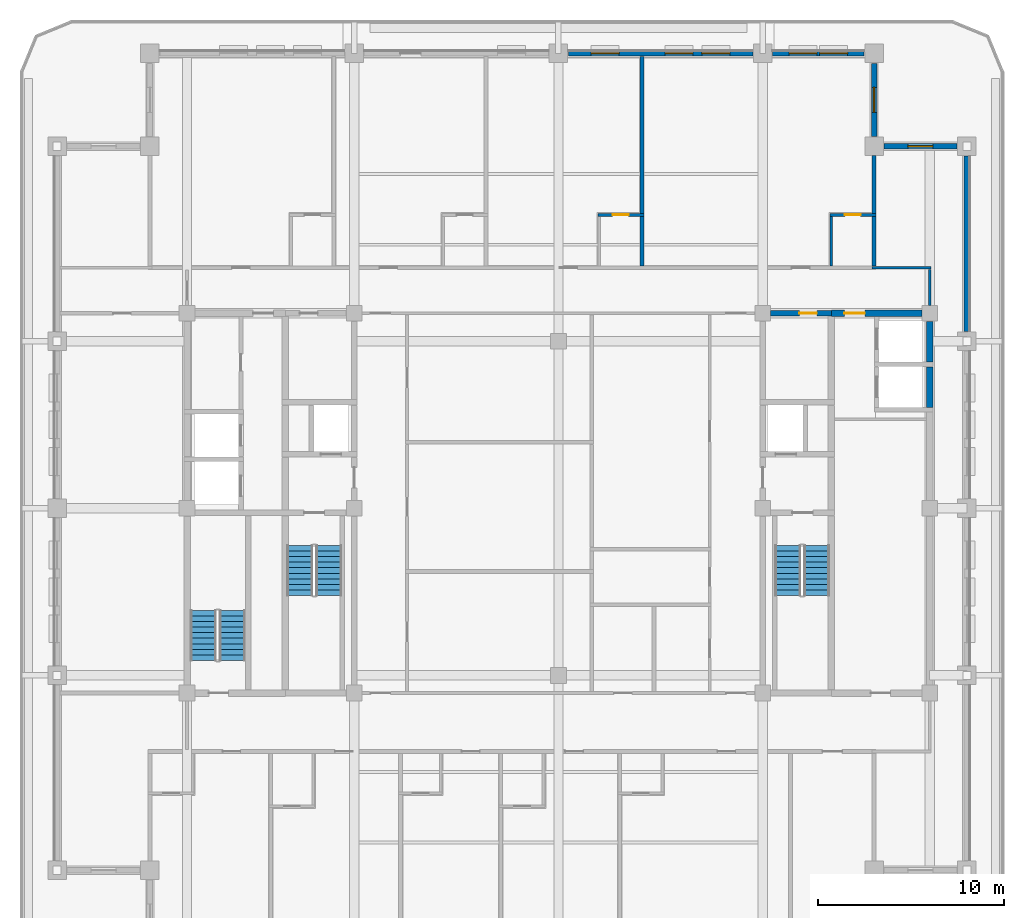
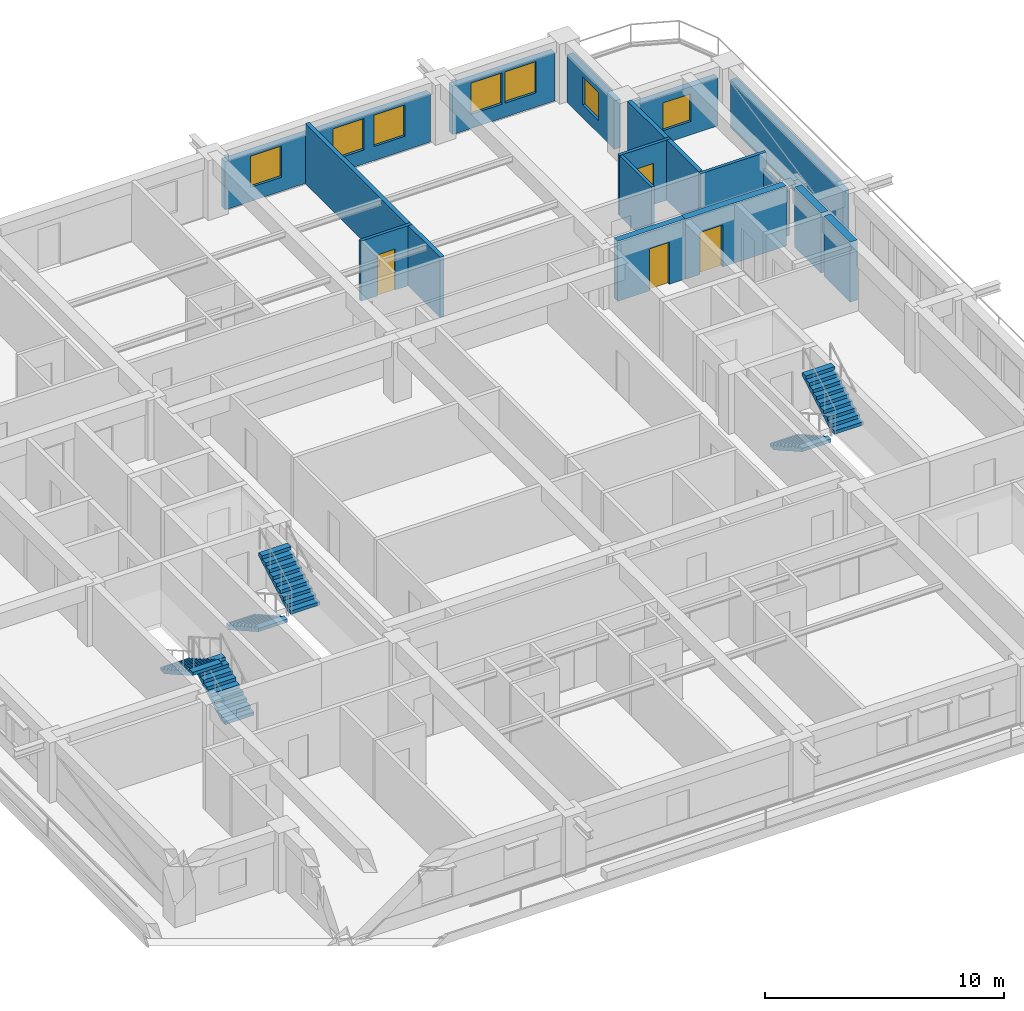
# One storey, part 7 of 14: 18 walls, 7 windows, 6 stair flights, 4 doors, 11 openings, 3 elements without a shape of their own.
"""IFC4 building model written with IfcOpenShell, lengths in metres."""

from ifc_helpers import new_model, si_unit, direction, frame, frame_2d, origin, place, context, subcontext, project, spatial, polyline, rectangle, outline, extrude, material, layer, layer_set, type_object, element, fill, aggregate, save


model = new_model("IFC4")

# Units and contexts
model_context = context("Model", 3, precision=1e-05, world=origin(), true_north=direction((0.0, 1.0)))
body_context = subcontext(model_context, "Body", "Model", "MODEL_VIEW")
ifc_project = project(units=[si_unit("LENGTHUNIT", "METRE"), si_unit("AREAUNIT", "SQUARE_METRE"), si_unit("VOLUMEUNIT", "CUBIC_METRE"), si_unit("PLANEANGLEUNIT", "RADIAN"), si_unit("MASSUNIT", "GRAM", prefix="KILO")], contexts=[model_context])

# Site, building, storey
site_placement = place(None, origin())
site = spatial("IfcSite", under=ifc_project, at=site_placement, CompositionType="ELEMENT")
building_placement = place(site_placement, origin())
building = spatial("IfcBuilding", under=site, at=building_placement, Name="Zulmaris Gate Convention Tower", CompositionType="ELEMENT")
storey_placement = place(building_placement, frame((0.0, 0.0, 208.4599609375)))
storey = spatial("IfcBuildingStorey", under=building, at=storey_placement, Name="L54", CompositionType="ELEMENT", Elevation=208.4599609375)

# Wall, opening, door
ifc_material_1 = material(Name="Concrete C50/60", Category="concrete")
ifc_layer_1 = layer(ifc_material_1, 0.300048828125, Name="Concrete C50/60")
ifc_layer_set_1 = layer_set([ifc_layer_1], Name="Concrete C50/60")
wall_type_1 = type_object("IfcWallType", Name="CORE-300", PredefinedType="SHEAR", material=ifc_layer_set_1)
wall_1_placement = place(storey_placement, frame((11.428955078125, 10.5, 0.0), z_axis=(0.0, 0.0, 1.0), x_axis=(1.0, 0.0, 0.0)))
wall_1 = element("IfcWall", 1, at=wall_1_placement, inside=storey, type_object=wall_type_1, Name="WL-L54-017", PredefinedType="SHEAR", context=body_context, shape_type="SweptSolid", body=[
    extrude(rectangle(XDim=3.27099609375, YDim=0.300048828125, at=frame_2d((1.635498046875, 0.0))), origin(), (0.0, 0.0, 1.0), 3.074951171875),
])
opening_1_placement = place(wall_1_placement, frame((1.5458984375, 0.0, 0.0)))
opening_1 = element("IfcOpeningElement", 2, at=opening_1_placement, cuts=wall_1, Name="Opening D-11", PredefinedType="OPENING", context=body_context, shape_type="SweptSolid", body=[
    extrude(rectangle(XDim=0.949951171875, YDim=2.14990234375, at=frame_2d((0.47509765625, 1.074951171875))), frame((0.0, 0.16015625, 0.0), z_axis=(0.0, -1.0, 0.0), x_axis=(1.0, 0.0, 0.0)), (0.0, 0.0, 1.0), 0.320068359375),
])
ifc_material_2 = material(Name="Fire-Rated Timber", Category="wood")
door_type_1 = type_object("IfcDoorType", Name="DR-950-FD", OperationType="NOTDEFINED", PredefinedType="DOOR", material=ifc_material_2)
door_1_placement = place(opening_1_placement, origin())
door_1 = element("IfcDoor", 3, at=door_1_placement, inside=storey, type_object=door_type_1, Name="L54 Core Cleaners Store Door 08", OperationType="SINGLE_SWING_LEFT", OverallHeight=2.14990234375, OverallWidth=0.949951171875, PredefinedType="DOOR", context=body_context, shape_type="SweptSolid", body=[
    extrude(rectangle(XDim=0.949951171875, YDim=2.14990234375, at=frame_2d((0.47509765625, 1.074951171875))), frame((0.0, 0.02490234375, 0.0), z_axis=(0.0, -1.0, 0.0), x_axis=(1.0, 0.0, 0.0)), (0.0, 0.0, 1.0), 0.050048828125),
])
fill(opening_1, door_1)

ifc_material_3 = material(Name="Concrete C55/67", Category="concrete")
ifc_layer_2 = layer(ifc_material_3, 0.35009765625, Name="Concrete C55/67")
ifc_layer_set_2 = layer_set([ifc_layer_2], Name="Concrete C55/67")
wall_type_2 = type_object("IfcWallType", Name="CORE-350", PredefinedType="SHEAR", material=ifc_layer_set_2)
wall_2_placement = place(storey_placement, frame((14.699951171875, 10.5, 0.0), z_axis=(0.0, 0.0, 1.0), x_axis=(1.0, 0.0, 0.0)))
wall_2 = element("IfcWall", 4, at=wall_2_placement, inside=storey, type_object=wall_type_2, Name="WL-L54-018", PredefinedType="SHEAR", context=body_context, shape_type="SweptSolid", body=[
    extrude(rectangle(XDim=4.87109375, YDim=0.35009765625, at=frame_2d((2.435546875, 0.0))), origin(), (0.0, 0.0, 1.0), 3.074951171875),
])
opening_2_placement = place(wall_2_placement, frame((0.699951171875, 0.0, 0.0)))
opening_2 = element("IfcOpeningElement", 5, at=opening_2_placement, cuts=wall_2, Name="Opening D-08", PredefinedType="OPENING", context=body_context, shape_type="SweptSolid", body=[
    extrude(rectangle(XDim=1.10009765625, YDim=2.14990234375, at=frame_2d((0.550048828125, 1.074951171875))), frame((0.0, 0.18505859375, 0.0), z_axis=(0.0, -1.0, 0.0), x_axis=(1.0, 0.0, 0.0)), (0.0, 0.0, 1.0), 0.3701171875),
])
ifc_material_4 = material(Name="Fire-Rated Steel", Category="steel")
door_type_2 = type_object("IfcDoorType", Name="DR-1100-FD", OperationType="NOTDEFINED", PredefinedType="DOOR", material=ifc_material_4)
door_2_placement = place(opening_2_placement, origin())
door_2 = element("IfcDoor", 6, at=door_2_placement, inside=storey, type_object=door_type_2, Name="L54 High-Rise East Lift Lobby Door 16", OperationType="SINGLE_SWING_LEFT", OverallHeight=2.14990234375, OverallWidth=1.10009765625, PredefinedType="DOOR", context=body_context, shape_type="SweptSolid", body=[
    extrude(rectangle(XDim=1.10009765625, YDim=2.14990234375, at=frame_2d((0.550048828125, 1.074951171875))), frame((0.0, 0.02490234375, 0.0), z_axis=(0.0, -1.0, 0.0), x_axis=(1.0, 0.0, 0.0)), (0.0, 0.0, 1.0), 0.050048828125),
])
fill(opening_2, door_2)

# Walls
wall_3_placement = place(storey_placement, frame((20.0, 5.427001953125, 0.0), z_axis=(0.0, 0.0, 1.0), x_axis=(0.0, 1.0, 0.0)))
element("IfcWall", 7, at=wall_3_placement, inside=storey, type_object=wall_type_2, Name="WL-L54-072", PredefinedType="SHEAR", context=body_context, shape_type="SweptSolid", body=[
    extrude(rectangle(XDim=2.196044921875, YDim=0.35009765625, at=frame_2d((1.09814453125, 0.0))), origin(), (0.0, 0.0, 1.0), 3.074951171875),
])
wall_4_placement = place(storey_placement, frame((20.0, 7.876953125, 0.0), z_axis=(0.0, 0.0, 1.0), x_axis=(0.0, 1.0, 0.0)))
element("IfcWall", 8, at=wall_4_placement, inside=storey, type_object=wall_type_2, Name="WL-L54-073", PredefinedType="SHEAR", context=body_context, shape_type="SweptSolid", body=[
    extrude(rectangle(XDim=2.194091796875, YDim=0.35009765625, at=frame_2d((1.09716796875, 0.0))), origin(), (0.0, 0.0, 1.0), 3.074951171875),
])
ifc_material_5 = material(Name="Gypsum Metal Stud Partition")
ifc_layer_3 = layer(ifc_material_5, 0.14990234375, Name="Gypsum Metal Stud Partition")
ifc_layer_set_3 = layer_set([ifc_layer_3], Name="Gypsum Metal Stud Partition")
wall_type_3 = type_object("IfcWallType", Name="PART-150", PredefinedType="PARTITIONING", material=ifc_layer_set_3)
wall_5_placement = place(storey_placement, frame((16.89990234375, 12.949951171875, 0.0), z_axis=(0.0, 0.0, 1.0), x_axis=(1.0, 0.0, 0.0)))
element("IfcWall", 9, at=wall_5_placement, inside=storey, type_object=wall_type_3, Name="WL-L54-037", PredefinedType="PARTITIONING", context=body_context, shape_type="SweptSolid", body=[
    extrude(rectangle(XDim=3.175048828125, YDim=0.14990234375, at=frame_2d((1.58740234375, 0.0))), origin(), (0.0, 0.0, 1.0), 3.074951171875),
])

# Wall, opening, door
wall_6_placement = place(storey_placement, frame((2.125, 15.800048828125, 0.0), z_axis=(0.0, 0.0, 1.0), x_axis=(1.0, 0.0, 0.0)))
wall_6 = element("IfcWall", 10, at=wall_6_placement, inside=storey, type_object=wall_type_3, Name="WL-L54-040", PredefinedType="PARTITIONING", context=body_context, shape_type="SweptSolid", body=[
    extrude(rectangle(XDim=2.47509765625, YDim=0.14990234375, at=frame_2d((1.237548828125, 0.0))), origin(), (0.0, 0.0, 1.0), 3.074951171875),
])
opening_3_placement = place(wall_6_placement, frame((0.800048828125, 0.0, 0.0)))
opening_3 = element("IfcOpeningElement", 11, at=opening_3_placement, cuts=wall_6, Name="Opening D-17", PredefinedType="OPENING", context=body_context, shape_type="SweptSolid", body=[
    extrude(rectangle(XDim=0.85009765625, YDim=2.10009765625, at=frame_2d((0.425048828125, 1.050048828125))), frame((0.0, 0.0849609375, 0.0), z_axis=(0.0, -1.0, 0.0), x_axis=(1.0, 0.0, 0.0)), (0.0, 0.0, 1.0), 0.169921875),
])
ifc_material_6 = material(Name="Moisture-Resistant Hardwood Timber", Category="wood")
door_type_3 = type_object("IfcDoorType", Name="DR-850", OperationType="NOTDEFINED", PredefinedType="DOOR", material=ifc_material_6)
door_3_placement = place(opening_3_placement, origin())
door_3 = element("IfcDoor", 12, at=door_3_placement, inside=storey, type_object=door_type_3, Name="L54 En-Suite Door 27", OperationType="SINGLE_SWING_RIGHT", OverallHeight=2.10009765625, OverallWidth=0.85009765625, PredefinedType="DOOR", context=body_context, shape_type="SweptSolid", body=[
    extrude(rectangle(XDim=0.85009765625, YDim=2.10009765625, at=frame_2d((0.425048828125, 1.050048828125))), frame((0.0, 0.02490234375, 0.0), z_axis=(0.0, -1.0, 0.0), x_axis=(1.0, 0.0, 0.0)), (0.0, 0.0, 1.0), 0.050048828125),
])
fill(opening_3, door_3)

wall_7_placement = place(storey_placement, frame((14.625, 15.800048828125, 0.0), z_axis=(0.0, 0.0, 1.0), x_axis=(1.0, 0.0, 0.0)))
wall_7 = element("IfcWall", 13, at=wall_7_placement, inside=storey, type_object=wall_type_3, Name="WL-L54-041", PredefinedType="PARTITIONING", context=body_context, shape_type="SweptSolid", body=[
    extrude(rectangle(XDim=2.47509765625, YDim=0.14990234375, at=frame_2d((1.237548828125, 0.0))), origin(), (0.0, 0.0, 1.0), 3.074951171875),
])
opening_4_placement = place(wall_7_placement, frame((0.800048828125, 0.0, 0.0)))
opening_4 = element("IfcOpeningElement", 14, at=opening_4_placement, cuts=wall_7, Name="Opening D-17", PredefinedType="OPENING", context=body_context, shape_type="SweptSolid", body=[
    extrude(rectangle(XDim=0.85009765625, YDim=2.10009765625, at=frame_2d((0.425048828125, 1.050048828125))), frame((0.0, 0.0849609375, 0.0), z_axis=(0.0, -1.0, 0.0), x_axis=(1.0, 0.0, 0.0)), (0.0, 0.0, 1.0), 0.169921875),
])
door_4_placement = place(opening_4_placement, origin())
door_4 = element("IfcDoor", 15, at=door_4_placement, inside=storey, type_object=door_type_3, Name="L54 En-Suite Door 29", OperationType="SINGLE_SWING_RIGHT", OverallHeight=2.10009765625, OverallWidth=0.85009765625, PredefinedType="DOOR", context=body_context, shape_type="SweptSolid", body=[
    extrude(rectangle(XDim=0.85009765625, YDim=2.10009765625, at=frame_2d((0.425048828125, 1.050048828125))), frame((0.0, 0.02490234375, 0.0), z_axis=(0.0, -1.0, 0.0), x_axis=(1.0, 0.0, 0.0)), (0.0, 0.0, 1.0), 0.050048828125),
])
fill(opening_4, door_4)

# Walls
wall_8_placement = place(storey_placement, frame((14.699951171875, 13.052978515625, 0.0), z_axis=(0.0, 0.0, 1.0), x_axis=(0.0, 1.0, 0.0)))
element("IfcWall", 16, at=wall_8_placement, inside=storey, type_object=wall_type_3, Name="WL-L54-115", PredefinedType="PARTITIONING", context=body_context, shape_type="SweptSolid", body=[
    extrude(rectangle(XDim=2.6689453125, YDim=0.14990234375, at=frame_2d((1.33447265625, 0.0))), origin(), (0.0, 0.0, 1.0), 3.074951171875),
])
wall_9_placement = place(storey_placement, frame((20.0, 10.930908203125, 0.0), z_axis=(0.0, 0.0, 1.0), x_axis=(0.0, 1.0, 0.0)))
element("IfcWall", 17, at=wall_9_placement, inside=storey, type_object=wall_type_3, Name="WL-L54-120", PredefinedType="PARTITIONING", context=body_context, shape_type="SweptSolid", body=[
    extrude(rectangle(XDim=1.941162109375, YDim=0.14990234375, at=frame_2d((0.970703125, 0.0))), origin(), (0.0, 0.0, 1.0), 2.266845703125),
])
ifc_material_7 = material(Name="Autoclaved Aerated Concrete Block and Plasterboard", Category="concrete")
ifc_layer_4 = layer(ifc_material_7, 0.199951171875, Name="Autoclaved Aerated Concrete Block and Plasterboard")
ifc_layer_set_4 = layer_set([ifc_layer_4], Name="Autoclaved Aerated Concrete Block and Plasterboard")
wall_type_4 = type_object("IfcWallType", Name="PART-200", PredefinedType="PARTITIONING", material=ifc_layer_set_4)
wall_10_placement = place(storey_placement, frame((4.5, 13.052978515625, 0.0), z_axis=(0.0, 0.0, 1.0), x_axis=(0.0, 1.0, 0.0)))
element("IfcWall", 18, at=wall_10_placement, inside=storey, type_object=wall_type_4, Name="WL-L54-107", PredefinedType="PARTITIONING", context=body_context, shape_type="SweptSolid", body=[
    extrude(rectangle(XDim=2.6689453125, YDim=0.199951171875, at=frame_2d((1.33447265625, 0.0))), origin(), (0.0, 0.0, 1.0), 3.074951171875),
])
wall_11_placement = place(storey_placement, frame((4.5, 15.8779296875, 0.0), z_axis=(0.0, 0.0, 1.0), x_axis=(0.0, 1.0, 0.0)))
element("IfcWall", 19, at=wall_11_placement, inside=storey, type_object=wall_type_4, Name="WL-L54-108", PredefinedType="PARTITIONING", context=body_context, shape_type="SweptSolid", body=[
    extrude(rectangle(XDim=8.45703125, YDim=0.199951171875, at=frame_2d((4.228515625, 0.0))), origin(), (0.0, 0.0, 1.0), 3.074951171875),
])
wall_12_placement = place(storey_placement, frame((17.0, 13.052978515625, 0.0), z_axis=(0.0, 0.0, 1.0), x_axis=(0.0, 1.0, 0.0)))
element("IfcWall", 20, at=wall_12_placement, inside=storey, type_object=wall_type_4, Name="WL-L54-117", PredefinedType="PARTITIONING", context=body_context, shape_type="SweptSolid", body=[
    extrude(rectangle(XDim=2.6689453125, YDim=0.199951171875, at=frame_2d((1.33447265625, 0.0))), origin(), (0.0, 0.0, 1.0), 3.074951171875),
])
wall_13_placement = place(storey_placement, frame((17.0, 15.8779296875, 0.0), z_axis=(0.0, 0.0, 1.0), x_axis=(0.0, 1.0, 0.0)))
element("IfcWall", 21, at=wall_13_placement, inside=storey, type_object=wall_type_4, Name="WL-L54-118", PredefinedType="PARTITIONING", context=body_context, shape_type="SweptSolid", body=[
    extrude(rectangle(XDim=3.115966796875, YDim=0.199951171875, at=frame_2d((1.55810546875, 0.0))), origin(), (0.0, 0.0, 1.0), 3.074951171875),
])

# Wall, opening, window
ifc_material_8 = material(Name="Precast concrete C40/50", Category="concrete")
ifc_layer_5 = layer(ifc_material_8, 0.300048828125, Name="Precast concrete C40/50")
ifc_layer_set_5 = layer_set([ifc_layer_5], Name="Precast concrete C40/50")
wall_type_5 = type_object("IfcWallType", Name="PRECAST-PIER-300", PredefinedType="STANDARD", material=ifc_layer_set_5)
wall_14_placement = place(storey_placement, frame((21.469970703125, 19.5, 0.0), z_axis=(0.0, 0.0, 1.0), x_axis=(-1.0, 0.0, 0.0)))
wall_14 = element("IfcWall", 22, at=wall_14_placement, inside=storey, type_object=wall_type_5, Name="EW-L54-NOTCH-NE1_0", PredefinedType="STANDARD", context=body_context, shape_type="SweptSolid", body=[
    extrude(rectangle(XDim=3.93994140625, YDim=0.300048828125, at=frame_2d((1.969970703125, 0.0))), origin(), (0.0, 0.0, 1.0), 2.467041015625),
])
opening_5_placement = place(wall_14_placement, frame((1.294921875, 0.0, 0.679931640625)))
opening_5 = element("IfcOpeningElement", 23, at=opening_5_placement, cuts=wall_14, Name="Opening W-10", PredefinedType="OPENING", context=body_context, shape_type="SweptSolid", body=[
    extrude(rectangle(XDim=1.35009765625, YDim=1.419921875, at=frame_2d((0.675048828125, 0.7099609375))), frame((0.0, 0.16015625, 0.0), z_axis=(0.0, -1.0, 0.0), x_axis=(1.0, 0.0, 0.0)), (0.0, 0.0, 1.0), 0.320068359375),
])
ifc_material_9 = material(Name="Low-E Laminated Double Glazing in Aluminium Frame", Category="aluminium")
window_type_1 = type_object("IfcWindowType", Name="WIN-1350x2000", PartitioningType="SINGLE_PANEL", PredefinedType="WINDOW", material=ifc_material_9)
window_1_placement = place(opening_5_placement, origin())
window_1 = element("IfcWindow", 24, at=window_1_placement, inside=storey, type_object=window_type_1, Name="WN-EW-L54-NOTCH-NE1_0", OverallHeight=1.419921875, OverallWidth=1.35009765625, PartitioningType="SINGLE_PANEL", PredefinedType="WINDOW", context=body_context, shape_type="SweptSolid", body=[
    extrude(rectangle(XDim=1.35009765625, YDim=1.419921875, at=frame_2d((0.675048828125, 0.7099609375))), frame((0.0, 0.030029296875, 0.0), z_axis=(0.0, -1.0, 0.0), x_axis=(1.0, 0.0, 0.0)), (0.0, 0.0, 1.0), 0.06005859375),
])
fill(opening_5, window_1)

wall_15_placement = place(storey_placement, frame((17.0, 20.030029296875, 0.0), z_axis=(0.0, 0.0, 1.0), x_axis=(0.0, 1.0, 0.0)))
wall_15 = element("IfcWall", 25, at=wall_15_placement, inside=storey, type_object=wall_type_5, Name="EW-L54-NOTCH-NE2_0", PredefinedType="STANDARD", context=body_context, shape_type="SweptSolid", body=[
    extrude(rectangle(XDim=3.93994140625, YDim=0.300048828125, at=frame_2d((1.969970703125, 0.0))), origin(), (0.0, 0.0, 1.0), 2.467041015625),
])
opening_6_placement = place(wall_15_placement, frame((1.294921875, 0.0, 0.679931640625)))
opening_6 = element("IfcOpeningElement", 26, at=opening_6_placement, cuts=wall_15, Name="Opening W-10", PredefinedType="OPENING", context=body_context, shape_type="SweptSolid", body=[
    extrude(rectangle(XDim=1.35009765625, YDim=1.419921875, at=frame_2d((0.675048828125, 0.7099609375))), frame((0.0, 0.16015625, 0.0), z_axis=(0.0, -1.0, 0.0), x_axis=(1.0, 0.0, 0.0)), (0.0, 0.0, 1.0), 0.320068359375),
])
window_2_placement = place(opening_6_placement, origin())
window_2 = element("IfcWindow", 27, at=window_2_placement, inside=storey, type_object=window_type_1, Name="WN-EW-L54-NOTCH-NE2_0", OverallHeight=1.419921875, OverallWidth=1.35009765625, PartitioningType="SINGLE_PANEL", PredefinedType="WINDOW", context=body_context, shape_type="SweptSolid", body=[
    extrude(rectangle(XDim=1.35009765625, YDim=1.419921875, at=frame_2d((0.675048828125, 0.7099609375))), frame((0.0, 0.030029296875, 0.0), z_axis=(0.0, -1.0, 0.0), x_axis=(1.0, 0.0, 0.0)), (0.0, 0.0, 1.0), 0.06005859375),
])
fill(opening_6, window_2)

# Wall, openings, windows
wall_16_placement = place(storey_placement, frame((10.469970703125, 24.5, 0.0), z_axis=(0.0, 0.0, 1.0), x_axis=(-1.0, 0.0, 0.0)))
wall_16 = element("IfcWall", 28, at=wall_16_placement, inside=storey, type_object=wall_type_5, Name="EW-L54-N-2_0", PredefinedType="STANDARD", context=body_context, shape_type="SweptSolid", body=[
    extrude(rectangle(XDim=9.93994140625, YDim=0.300048828125, at=frame_2d((4.969970703125, 0.0))), origin(), (0.0, 0.0, 1.0), 2.467041015625),
])
opening_7_placement = place(wall_16_placement, frame((1.238037109375, 0.0, 0.719970703125)))
opening_7 = element("IfcOpeningElement", 29, at=opening_7_placement, cuts=wall_16, Name="Opening W-03", PredefinedType="OPENING", context=body_context, shape_type="SweptSolid", body=[
    extrude(rectangle(XDim=1.5, YDim=1.60009765625, at=frame_2d((0.75, 0.800048828125))), frame((0.0, 0.16015625, 0.0), z_axis=(0.0, -1.0, 0.0), x_axis=(1.0, 0.0, 0.0)), (0.0, 0.0, 1.0), 0.320068359375),
])
opening_8_placement = place(wall_16_placement, frame((3.22607421875, 0.0, 0.719970703125)))
opening_8 = element("IfcOpeningElement", 30, at=opening_8_placement, cuts=wall_16, Name="Opening W-03", PredefinedType="OPENING", context=body_context, shape_type="SweptSolid", body=[
    extrude(rectangle(XDim=1.5, YDim=1.60009765625, at=frame_2d((0.75, 0.800048828125))), frame((0.0, 0.16015625, 0.0), z_axis=(0.0, -1.0, 0.0), x_axis=(1.0, 0.0, 0.0)), (0.0, 0.0, 1.0), 0.320068359375),
])
opening_9_placement = place(wall_16_placement, frame((7.201904296875, 0.0, 0.719970703125)))
opening_9 = element("IfcOpeningElement", 31, at=opening_9_placement, cuts=wall_16, Name="Opening W-03", PredefinedType="OPENING", context=body_context, shape_type="SweptSolid", body=[
    extrude(rectangle(XDim=1.5, YDim=1.60009765625, at=frame_2d((0.75, 0.800048828125))), frame((0.0, 0.16015625, 0.0), z_axis=(0.0, -1.0, 0.0), x_axis=(1.0, 0.0, 0.0)), (0.0, 0.0, 1.0), 0.320068359375),
])
window_type_2 = type_object("IfcWindowType", Name="WIN-1500x2100", PartitioningType="SINGLE_PANEL", PredefinedType="WINDOW", material=ifc_material_9)
window_3_placement = place(opening_7_placement, origin())
window_3 = element("IfcWindow", 32, at=window_3_placement, inside=storey, type_object=window_type_2, Name="WN-EW-L54-N-2_0-1", OverallHeight=1.60009765625, OverallWidth=1.5, PartitioningType="SINGLE_PANEL", PredefinedType="WINDOW", context=body_context, shape_type="SweptSolid", body=[
    extrude(rectangle(XDim=1.5, YDim=1.60009765625, at=frame_2d((0.75, 0.800048828125))), frame((0.0, 0.030029296875, 0.0), z_axis=(0.0, -1.0, 0.0), x_axis=(1.0, 0.0, 0.0)), (0.0, 0.0, 1.0), 0.06005859375),
])
fill(opening_7, window_3)
window_4_placement = place(opening_8_placement, origin())
window_4 = element("IfcWindow", 33, at=window_4_placement, inside=storey, type_object=window_type_2, Name="WN-EW-L54-N-2_0-2", OverallHeight=1.60009765625, OverallWidth=1.5, PartitioningType="SINGLE_PANEL", PredefinedType="WINDOW", context=body_context, shape_type="SweptSolid", body=[
    extrude(rectangle(XDim=1.5, YDim=1.60009765625, at=frame_2d((0.75, 0.800048828125))), frame((0.0, 0.030029296875, 0.0), z_axis=(0.0, -1.0, 0.0), x_axis=(1.0, 0.0, 0.0)), (0.0, 0.0, 1.0), 0.06005859375),
])
fill(opening_8, window_4)
window_5_placement = place(opening_9_placement, origin())
window_5 = element("IfcWindow", 34, at=window_5_placement, inside=storey, type_object=window_type_2, Name="WN-EW-L54-N-2_0-4", OverallHeight=1.60009765625, OverallWidth=1.5, PartitioningType="SINGLE_PANEL", PredefinedType="WINDOW", context=body_context, shape_type="SweptSolid", body=[
    extrude(rectangle(XDim=1.5, YDim=1.60009765625, at=frame_2d((0.75, 0.800048828125))), frame((0.0, 0.030029296875, 0.0), z_axis=(0.0, -1.0, 0.0), x_axis=(1.0, 0.0, 0.0)), (0.0, 0.0, 1.0), 0.06005859375),
])
fill(opening_9, window_5)

wall_17_placement = place(storey_placement, frame((16.469970703125, 24.5, 0.0), z_axis=(0.0, 0.0, 1.0), x_axis=(-1.0, 0.0, 0.0)))
wall_17 = element("IfcWall", 35, at=wall_17_placement, inside=storey, type_object=wall_type_5, Name="EW-L54-N-3_0", PredefinedType="STANDARD", context=body_context, shape_type="SweptSolid", body=[
    extrude(rectangle(XDim=4.93994140625, YDim=0.300048828125, at=frame_2d((2.469970703125, 0.0))), origin(), (0.0, 0.0, 1.0), 2.467041015625),
])
opening_10_placement = place(wall_17_placement, frame((0.89697265625, 0.0, 0.719970703125)))
opening_10 = element("IfcOpeningElement", 36, at=opening_10_placement, cuts=wall_17, Name="Opening W-03", PredefinedType="OPENING", context=body_context, shape_type="SweptSolid", body=[
    extrude(rectangle(XDim=1.5, YDim=1.60009765625, at=frame_2d((0.75, 0.800048828125))), frame((0.0, 0.16015625, 0.0), z_axis=(0.0, -1.0, 0.0), x_axis=(1.0, 0.0, 0.0)), (0.0, 0.0, 1.0), 0.320068359375),
])
opening_11_placement = place(wall_17_placement, frame((2.54296875, 0.0, 0.719970703125)))
opening_11 = element("IfcOpeningElement", 37, at=opening_11_placement, cuts=wall_17, Name="Opening W-03", PredefinedType="OPENING", context=body_context, shape_type="SweptSolid", body=[
    extrude(rectangle(XDim=1.5, YDim=1.60009765625, at=frame_2d((0.75, 0.800048828125))), frame((0.0, 0.16015625, 0.0), z_axis=(0.0, -1.0, 0.0), x_axis=(1.0, 0.0, 0.0)), (0.0, 0.0, 1.0), 0.320068359375),
])
window_6_placement = place(opening_10_placement, origin())
window_6 = element("IfcWindow", 38, at=window_6_placement, inside=storey, type_object=window_type_2, Name="WN-EW-L54-N-3_0-1", OverallHeight=1.60009765625, OverallWidth=1.5, PartitioningType="SINGLE_PANEL", PredefinedType="WINDOW", context=body_context, shape_type="SweptSolid", body=[
    extrude(rectangle(XDim=1.5, YDim=1.60009765625, at=frame_2d((0.75, 0.800048828125))), frame((0.0, 0.030029296875, 0.0), z_axis=(0.0, -1.0, 0.0), x_axis=(1.0, 0.0, 0.0)), (0.0, 0.0, 1.0), 0.06005859375),
])
fill(opening_10, window_6)
window_7_placement = place(opening_11_placement, origin())
window_7 = element("IfcWindow", 39, at=window_7_placement, inside=storey, type_object=window_type_2, Name="WN-EW-L54-N-3_0-2", OverallHeight=1.60009765625, OverallWidth=1.5, PartitioningType="SINGLE_PANEL", PredefinedType="WINDOW", context=body_context, shape_type="SweptSolid", body=[
    extrude(rectangle(XDim=1.5, YDim=1.60009765625, at=frame_2d((0.75, 0.800048828125))), frame((0.0, 0.030029296875, 0.0), z_axis=(0.0, -1.0, 0.0), x_axis=(1.0, 0.0, 0.0)), (0.0, 0.0, 1.0), 0.06005859375),
])
fill(opening_11, window_7)

# Wall
wall_18_placement = place(storey_placement, frame((22.0, 9.530029296875, 0.0), z_axis=(0.0, 0.0, 1.0), x_axis=(0.0, 1.0, 0.0)))
element("IfcWall", 40, at=wall_18_placement, inside=storey, type_object=wall_type_5, Name="EW-L54-E-3_0", PredefinedType="STANDARD", context=body_context, shape_type="SweptSolid", body=[
    extrude(rectangle(XDim=9.43994140625, YDim=0.300048828125, at=frame_2d((4.719970703125, 0.0))), origin(), (0.0, 0.0, 1.0), 2.467041015625),
])

# Stair, stair flights
ifc_material_10 = material(Name="Concrete C45/55", Category="concrete")
stair_type = type_object("IfcStairType", Name="ST-CORE-DOGLEG", PredefinedType="HALF_TURN_STAIR", material=ifc_material_10)
stair_1_placement = place(storey_placement, origin())
stair_1 = element("IfcStair", 41, at=stair_1_placement, inside=storey, type_object=stair_type, Name="L54 Core Exit Stair ST-1", PredefinedType="HALF_TURN_STAIR")
ifc_layer_6 = layer(ifc_material_10, 0.14990234375, Name="Concrete C45/55")
ifc_layer_set_6 = layer_set([ifc_layer_6], Name="Concrete C45/55")
stair_flight_type = type_object("IfcStairFlightType", Name="STF-RC150", PredefinedType="STRAIGHT", material=ifc_layer_set_6)
stair_flight_1_placement = place(storey_placement, frame((-13.919921875, -2.0, 0.0), z_axis=(0.0, 0.0, 1.0), x_axis=(0.0, -1.0, 0.0)))
stair_flight_1 = element("IfcStairFlight", 42, at=stair_flight_1_placement, type_object=stair_flight_type, Name="ST-1 flight 1", NumberOfRisers=10, NumberOfTreads=9, PredefinedType="STRAIGHT", RiserHeight=0.169995, TreadLength=0.3, context=body_context, shape_type="SweptSolid", body=[
    extrude(outline(polyline([(0.0, 0.0), (0.0, 0.169921875), (0.300048828125, 0.169921875), (0.300048828125, 0.340087890625), (0.60009765625, 0.340087890625), (0.60009765625, 0.510009765625), (0.89990234375, 0.510009765625), (0.89990234375, 0.679931640625), (1.199951171875, 0.679931640625), (1.199951171875, 0.849853515625), (1.5, 0.849853515625), (1.5, 1.02001953125), (1.800048828125, 1.02001953125), (1.800048828125, 1.18994140625), (2.10009765625, 1.18994140625), (2.10009765625, 1.35986328125), (2.39990234375, 1.35986328125), (2.39990234375, 1.530029296875), (2.699951171875, 1.530029296875), (2.699951171875, 1.699951171875), (2.699951171875, 1.357666015625), (0.303955078125, 0.0), (0.0, 0.0)])), frame((0.0, 0.699951171875, 0.0), z_axis=(0.0, -1.0, 0.0), x_axis=(1.0, 0.0, 0.0)), (0.0, 0.0, 1.0), 1.39990234375),
])
stair_flight_2_placement = place(storey_placement, frame((-12.360107421875, -4.699951171875, 1.699951171875), z_axis=(0.0, 0.0, 1.0), x_axis=(0.0, 1.0, 0.0)))
stair_flight_2 = element("IfcStairFlight", 43, at=stair_flight_2_placement, type_object=stair_flight_type, Name="ST-1 flight 2", NumberOfRisers=10, NumberOfTreads=9, PredefinedType="STRAIGHT", RiserHeight=0.169995, TreadLength=0.3, context=body_context, shape_type="SweptSolid", body=[
    extrude(outline(polyline([(0.0, 0.0), (0.0, 0.169921875), (0.300048828125, 0.169921875), (0.300048828125, 0.340087890625), (0.60009765625, 0.340087890625), (0.60009765625, 0.510009765625), (0.89990234375, 0.510009765625), (0.89990234375, 0.679931640625), (1.199951171875, 0.679931640625), (1.199951171875, 0.849853515625), (1.5, 0.849853515625), (1.5, 1.02001953125), (1.800048828125, 1.02001953125), (1.800048828125, 1.18994140625), (2.10009765625, 1.18994140625), (2.10009765625, 1.35986328125), (2.39990234375, 1.35986328125), (2.39990234375, 1.530029296875), (2.699951171875, 1.530029296875), (2.699951171875, 1.699951171875), (2.699951171875, 1.357666015625), (0.303955078125, 0.0), (0.0, 0.0)])), frame((0.0, 0.699951171875, 0.0), z_axis=(0.0, -1.0, 0.0), x_axis=(1.0, 0.0, 0.0)), (0.0, 0.0, 1.0), 1.39990234375),
])
aggregate(stair_1, [stair_flight_1, stair_flight_2])

stair_2_placement = place(storey_placement, origin())
stair_2 = element("IfcStair", 44, at=stair_2_placement, inside=storey, type_object=stair_type, Name="L54 Core Exit Stair ST-2", PredefinedType="HALF_TURN_STAIR")
stair_flight_3_placement = place(storey_placement, frame((12.360107421875, -2.0, 0.0), z_axis=(0.0, 0.0, 1.0), x_axis=(0.0, -1.0, 0.0)))
stair_flight_3 = element("IfcStairFlight", 45, at=stair_flight_3_placement, type_object=stair_flight_type, Name="ST-2 flight 1", NumberOfRisers=10, NumberOfTreads=9, PredefinedType="STRAIGHT", RiserHeight=0.169995, TreadLength=0.3, context=body_context, shape_type="SweptSolid", body=[
    extrude(outline(polyline([(0.0, 0.0), (0.0, 0.169921875), (0.300048828125, 0.169921875), (0.300048828125, 0.340087890625), (0.60009765625, 0.340087890625), (0.60009765625, 0.510009765625), (0.89990234375, 0.510009765625), (0.89990234375, 0.679931640625), (1.199951171875, 0.679931640625), (1.199951171875, 0.849853515625), (1.5, 0.849853515625), (1.5, 1.02001953125), (1.800048828125, 1.02001953125), (1.800048828125, 1.18994140625), (2.10009765625, 1.18994140625), (2.10009765625, 1.35986328125), (2.39990234375, 1.35986328125), (2.39990234375, 1.530029296875), (2.699951171875, 1.530029296875), (2.699951171875, 1.699951171875), (2.699951171875, 1.357666015625), (0.303955078125, 0.0), (0.0, 0.0)])), frame((0.0, 0.699951171875, 0.0), z_axis=(0.0, -1.0, 0.0), x_axis=(1.0, 0.0, 0.0)), (0.0, 0.0, 1.0), 1.39990234375),
])
stair_flight_4_placement = place(storey_placement, frame((13.919921875, -4.699951171875, 1.699951171875), z_axis=(0.0, 0.0, 1.0), x_axis=(0.0, 1.0, 0.0)))
stair_flight_4 = element("IfcStairFlight", 46, at=stair_flight_4_placement, type_object=stair_flight_type, Name="ST-2 flight 2", NumberOfRisers=10, NumberOfTreads=9, PredefinedType="STRAIGHT", RiserHeight=0.169995, TreadLength=0.3, context=body_context, shape_type="SweptSolid", body=[
    extrude(outline(polyline([(0.0, 0.0), (0.0, 0.169921875), (0.300048828125, 0.169921875), (0.300048828125, 0.340087890625), (0.60009765625, 0.340087890625), (0.60009765625, 0.510009765625), (0.89990234375, 0.510009765625), (0.89990234375, 0.679931640625), (1.199951171875, 0.679931640625), (1.199951171875, 0.849853515625), (1.5, 0.849853515625), (1.5, 1.02001953125), (1.800048828125, 1.02001953125), (1.800048828125, 1.18994140625), (2.10009765625, 1.18994140625), (2.10009765625, 1.35986328125), (2.39990234375, 1.35986328125), (2.39990234375, 1.530029296875), (2.699951171875, 1.530029296875), (2.699951171875, 1.699951171875), (2.699951171875, 1.357666015625), (0.303955078125, 0.0), (0.0, 0.0)])), frame((0.0, 0.699951171875, 0.0), z_axis=(0.0, -1.0, 0.0), x_axis=(1.0, 0.0, 0.0)), (0.0, 0.0, 1.0), 1.39990234375),
])
aggregate(stair_2, [stair_flight_3, stair_flight_4])

stair_3_placement = place(storey_placement, origin())
stair_3 = element("IfcStair", 47, at=stair_3_placement, inside=storey, type_object=stair_type, Name="L54 Core Exit Stair ST-3", PredefinedType="HALF_TURN_STAIR")
stair_flight_5_placement = place(storey_placement, frame((-17.56005859375, -8.199951171875, 0.0), z_axis=(0.0, 0.0, 1.0), x_axis=(0.0, 1.0, 0.0)))
stair_flight_5 = element("IfcStairFlight", 48, at=stair_flight_5_placement, type_object=stair_flight_type, Name="ST-3 flight 1", NumberOfRisers=10, NumberOfTreads=9, PredefinedType="STRAIGHT", RiserHeight=0.169995, TreadLength=0.3, context=body_context, shape_type="SweptSolid", body=[
    extrude(outline(polyline([(0.0, 0.0), (0.0, 0.169921875), (0.300048828125, 0.169921875), (0.300048828125, 0.340087890625), (0.60009765625, 0.340087890625), (0.60009765625, 0.510009765625), (0.89990234375, 0.510009765625), (0.89990234375, 0.679931640625), (1.199951171875, 0.679931640625), (1.199951171875, 0.849853515625), (1.5, 0.849853515625), (1.5, 1.02001953125), (1.800048828125, 1.02001953125), (1.800048828125, 1.18994140625), (2.10009765625, 1.18994140625), (2.10009765625, 1.35986328125), (2.39990234375, 1.35986328125), (2.39990234375, 1.530029296875), (2.699951171875, 1.530029296875), (2.699951171875, 1.699951171875), (2.699951171875, 1.357666015625), (0.303955078125, 0.0), (0.0, 0.0)])), frame((0.0, 0.699951171875, 0.0), z_axis=(0.0, -1.0, 0.0), x_axis=(1.0, 0.0, 0.0)), (0.0, 0.0, 1.0), 1.39990234375),
])
stair_flight_6_placement = place(storey_placement, frame((-19.1201171875, -5.5, 1.699951171875), z_axis=(0.0, 0.0, 1.0), x_axis=(0.0, -1.0, 0.0)))
stair_flight_6 = element("IfcStairFlight", 49, at=stair_flight_6_placement, type_object=stair_flight_type, Name="ST-3 flight 2", NumberOfRisers=10, NumberOfTreads=9, PredefinedType="STRAIGHT", RiserHeight=0.169995, TreadLength=0.3, context=body_context, shape_type="SweptSolid", body=[
    extrude(outline(polyline([(0.0, 0.0), (0.0, 0.169921875), (0.300048828125, 0.169921875), (0.300048828125, 0.340087890625), (0.60009765625, 0.340087890625), (0.60009765625, 0.510009765625), (0.89990234375, 0.510009765625), (0.89990234375, 0.679931640625), (1.199951171875, 0.679931640625), (1.199951171875, 0.849853515625), (1.5, 0.849853515625), (1.5, 1.02001953125), (1.800048828125, 1.02001953125), (1.800048828125, 1.18994140625), (2.10009765625, 1.18994140625), (2.10009765625, 1.35986328125), (2.39990234375, 1.35986328125), (2.39990234375, 1.530029296875), (2.699951171875, 1.530029296875), (2.699951171875, 1.699951171875), (2.699951171875, 1.357666015625), (0.303955078125, 0.0), (0.0, 0.0)])), frame((0.0, 0.699951171875, 0.0), z_axis=(0.0, -1.0, 0.0), x_axis=(1.0, 0.0, 0.0)), (0.0, 0.0, 1.0), 1.39990234375),
])
aggregate(stair_3, [stair_flight_5, stair_flight_6])

save(model, "model.ifc")
